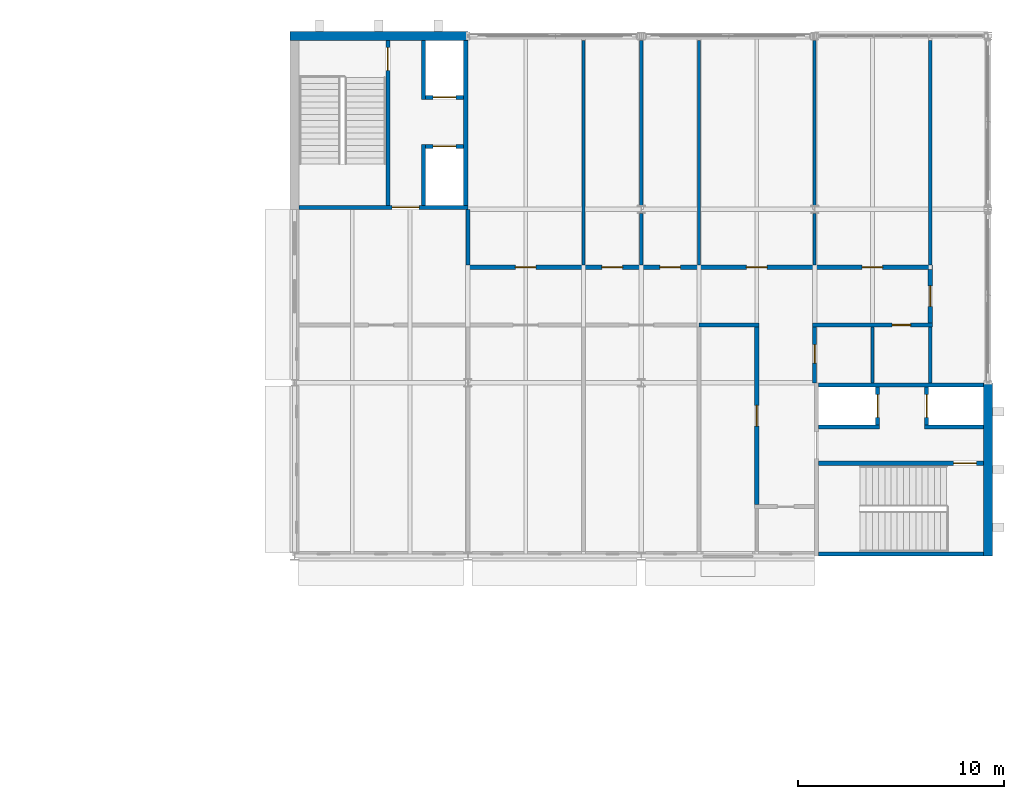
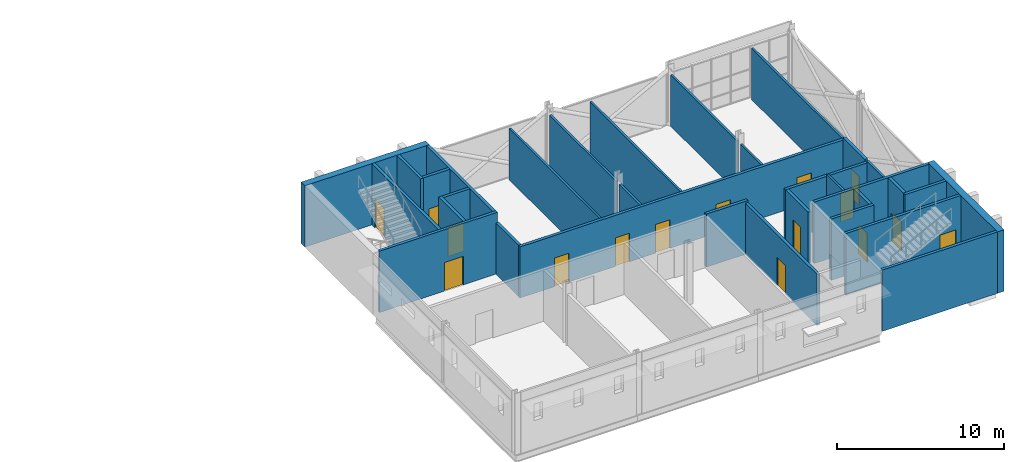
# One storey, part 17 of 22: 32 walls, 16 doors, 16 openings.
"""IFC4 building model written with IfcOpenShell, lengths in metres."""

from ifc_helpers import new_model, si_unit, direction, frame, frame_2d, origin, place, context, subcontext, project, spatial, rectangle, extrude, material, layer, layer_set, type_object, element, fill, save


model = new_model("IFC4")

# Units and contexts
model_context = context("Model", 3, precision=1e-05, world=origin(), true_north=direction((0.0, 1.0)))
body_context = subcontext(model_context, "Body", "Model", "MODEL_VIEW")
ifc_project = project(units=[si_unit("LENGTHUNIT", "METRE"), si_unit("AREAUNIT", "SQUARE_METRE"), si_unit("VOLUMEUNIT", "CUBIC_METRE"), si_unit("PLANEANGLEUNIT", "RADIAN"), si_unit("MASSUNIT", "GRAM", prefix="KILO")], contexts=[model_context])

# Site, building, storey
site_placement = place(None, origin())
site = spatial("IfcSite", under=ifc_project, at=site_placement, CompositionType="ELEMENT")
building_placement = place(site_placement, origin())
building = spatial("IfcBuilding", under=site, at=building_placement, Name="Ardhachandra Cancer Care Centre", CompositionType="ELEMENT")
storey_placement = place(building_placement, frame((0.0, 0.0, 18.0)))
storey = spatial("IfcBuildingStorey", under=building, at=storey_placement, Name="L04", CompositionType="ELEMENT", Elevation=18.0)

# Wall
ifc_material_1 = material(Name="Gypsum board corridor partition on steel studs", Category="steel")
ifc_layer_1 = layer(ifc_material_1, 0.199951171875)
ifc_layer_set_1 = layer_set([ifc_layer_1], Name="Gypsum board corridor partition on steel studs")
wall_type_1 = type_object("IfcWallType", Name="CORRIDOR WALL 200", PredefinedType="PARTITIONING", material=ifc_layer_set_1)
wall_1_placement = place(storey_placement, frame((131.199951171875, 91.0, 0.0), z_axis=(0.0, 0.0, 1.0), x_axis=(1.0, 0.0, 0.0)))
element("IfcWall", 1, at=wall_1_placement, inside=storey, type_object=wall_type_1, Name="R/wall/L04/h0091000_0131200", PredefinedType="PARTITIONING", context=body_context, shape_type="SweptSolid", body=[
    extrude(rectangle(XDim=2.900146484375, YDim=0.199951171875, at=frame_2d((1.4501953125, 0.0))), origin(), (0.0, 0.0, 1.0), 3.89404296875),
])

# Wall, opening, door
wall_2_placement = place(storey_placement, frame((136.699951171875, 91.0, 0.0), z_axis=(0.0, 0.0, 1.0), x_axis=(1.0, 0.0, 0.0)))
wall_2 = element("IfcWall", 2, at=wall_2_placement, inside=storey, type_object=wall_type_1, Name="R/wall/L04/h0091000_0136700", PredefinedType="PARTITIONING", context=body_context, shape_type="SweptSolid", body=[
    extrude(rectangle(XDim=5.800048828125, YDim=0.199951171875, at=frame_2d((2.89990234375, 0.0))), origin(), (0.0, 0.0, 1.0), 3.75),
])
opening_1_placement = place(wall_2_placement, frame((3.85009765625, 0.0, 0.0)))
opening_1 = element("IfcOpeningElement", 3, at=opening_1_placement, cuts=wall_2, Name="Opening L04-0014", PredefinedType="OPENING", context=body_context, shape_type="SweptSolid", body=[
    extrude(rectangle(XDim=0.89990234375, YDim=2.10009765625, at=frame_2d((0.449951171875, 1.050048828125))), frame((0.0, 0.10986328125, 0.0), z_axis=(0.0, -1.0, 0.0), x_axis=(1.0, 0.0, 0.0)), (0.0, 0.0, 1.0), 0.219970703125),
])
ifc_material_2 = material(Name="Timber fire door with smoke seals", Category="wood")
door_type_1 = type_object("IfcDoorType", Name="FIRE DOOR WC 900x2100 FD30S", OperationType="NOTDEFINED", PredefinedType="DOOR", material=ifc_material_2)
door_1_placement = place(opening_1_placement, origin())
door_1 = element("IfcDoor", 4, at=door_1_placement, inside=storey, type_object=door_type_1, Name="Door L04-0014", OperationType="SINGLE_SWING_RIGHT", OverallHeight=2.10009765625, OverallWidth=0.89990234375, PredefinedType="DOOR", context=body_context, shape_type="SweptSolid", body=[
    extrude(rectangle(XDim=0.89990234375, YDim=2.10009765625, at=frame_2d((0.449951171875, 1.050048828125))), frame((0.0, 0.02490234375, 0.0), z_axis=(0.0, -1.0, 0.0), x_axis=(1.0, 0.0, 0.0)), (0.0, 0.0, 1.0), 0.050048828125),
])
fill(opening_1, door_1)

# Wall, openings, doors
wall_3_placement = place(storey_placement, frame((119.89990234375, 93.800048828125, 0.0), z_axis=(0.0, 0.0, 1.0), x_axis=(1.0, 0.0, 0.0)))
wall_3 = element("IfcWall", 5, at=wall_3_placement, inside=storey, type_object=wall_type_1, Name="R/wall/L04/h0093800_0119900", PredefinedType="PARTITIONING", context=body_context, shape_type="SweptSolid", body=[
    extrude(rectangle(XDim=22.60009765625, YDim=0.199951171875, at=frame_2d((11.300048828125, 0.0))), origin(), (0.0, 0.0, 1.0), 3.75),
])
opening_2_placement = place(wall_3_placement, frame((2.39990234375, 0.0, 0.0)))
opening_2 = element("IfcOpeningElement", 6, at=opening_2_placement, cuts=wall_3, Name="Opening L04-0015", PredefinedType="OPENING", context=body_context, shape_type="SweptSolid", body=[
    extrude(rectangle(XDim=1.0, YDim=2.10009765625, at=frame_2d((0.5, 1.050048828125))), frame((0.0, 0.10986328125, 0.0), z_axis=(0.0, -1.0, 0.0), x_axis=(1.0, 0.0, 0.0)), (0.0, 0.0, 1.0), 0.219970703125),
])
opening_3_placement = place(wall_3_placement, frame((6.60009765625, 0.0, 0.0)))
opening_3 = element("IfcOpeningElement", 7, at=opening_3_placement, cuts=wall_3, Name="Opening L04-0016", PredefinedType="OPENING", context=body_context, shape_type="SweptSolid", body=[
    extrude(rectangle(XDim=1.0, YDim=2.10009765625, at=frame_2d((0.5, 1.050048828125))), frame((0.0, 0.10986328125, 0.0), z_axis=(0.0, -1.0, 0.0), x_axis=(1.0, 0.0, 0.0)), (0.0, 0.0, 1.0), 0.219970703125),
])
opening_4_placement = place(wall_3_placement, frame((9.39990234375, 0.0, 0.0)))
opening_4 = element("IfcOpeningElement", 8, at=opening_4_placement, cuts=wall_3, Name="Opening L04-0017", PredefinedType="OPENING", context=body_context, shape_type="SweptSolid", body=[
    extrude(rectangle(XDim=1.0, YDim=2.10009765625, at=frame_2d((0.5, 1.050048828125))), frame((0.0, 0.10986328125, 0.0), z_axis=(0.0, -1.0, 0.0), x_axis=(1.0, 0.0, 0.0)), (0.0, 0.0, 1.0), 0.219970703125),
])
opening_5_placement = place(wall_3_placement, frame((13.60009765625, 0.0, 0.0)))
opening_5 = element("IfcOpeningElement", 9, at=opening_5_placement, cuts=wall_3, Name="Opening L04-0018", PredefinedType="OPENING", context=body_context, shape_type="SweptSolid", body=[
    extrude(rectangle(XDim=1.0, YDim=2.10009765625, at=frame_2d((0.5, 1.050048828125))), frame((0.0, 0.10986328125, 0.0), z_axis=(0.0, -1.0, 0.0), x_axis=(1.0, 0.0, 0.0)), (0.0, 0.0, 1.0), 0.219970703125),
])
opening_6_placement = place(wall_3_placement, frame((19.199951171875, 0.0, 0.0)))
opening_6 = element("IfcOpeningElement", 10, at=opening_6_placement, cuts=wall_3, Name="Opening L04-0019", PredefinedType="OPENING", context=body_context, shape_type="SweptSolid", body=[
    extrude(rectangle(XDim=1.0, YDim=2.10009765625, at=frame_2d((0.5, 1.050048828125))), frame((0.0, 0.10986328125, 0.0), z_axis=(0.0, -1.0, 0.0), x_axis=(1.0, 0.0, 0.0)), (0.0, 0.0, 1.0), 0.219970703125),
])
ifc_material_3 = material(Name="Timber fire door with smoke seals", Category="wood")
door_type_2 = type_object("IfcDoorType", Name="FIRE DOOR SINGLE 1000x2100 FD30S", OperationType="NOTDEFINED", PredefinedType="DOOR", material=ifc_material_3)
door_2_placement = place(opening_2_placement, origin())
door_2 = element("IfcDoor", 11, at=door_2_placement, inside=storey, type_object=door_type_2, Name="Door L04-0015", OperationType="SINGLE_SWING_RIGHT", OverallHeight=2.10009765625, OverallWidth=1.0, PredefinedType="DOOR", context=body_context, shape_type="SweptSolid", body=[
    extrude(rectangle(XDim=1.0, YDim=2.10009765625, at=frame_2d((0.5, 1.050048828125))), frame((0.0, 0.02490234375, 0.0), z_axis=(0.0, -1.0, 0.0), x_axis=(1.0, 0.0, 0.0)), (0.0, 0.0, 1.0), 0.050048828125),
])
fill(opening_2, door_2)
door_3_placement = place(opening_3_placement, origin())
door_3 = element("IfcDoor", 12, at=door_3_placement, inside=storey, type_object=door_type_2, Name="Door L04-0016", OperationType="SINGLE_SWING_RIGHT", OverallHeight=2.10009765625, OverallWidth=1.0, PredefinedType="DOOR", context=body_context, shape_type="SweptSolid", body=[
    extrude(rectangle(XDim=1.0, YDim=2.10009765625, at=frame_2d((0.5, 1.050048828125))), frame((0.0, 0.02490234375, 0.0), z_axis=(0.0, -1.0, 0.0), x_axis=(1.0, 0.0, 0.0)), (0.0, 0.0, 1.0), 0.050048828125),
])
fill(opening_3, door_3)
door_4_placement = place(opening_4_placement, origin())
door_4 = element("IfcDoor", 13, at=door_4_placement, inside=storey, type_object=door_type_2, Name="Door L04-0017", OperationType="SINGLE_SWING_LEFT", OverallHeight=2.10009765625, OverallWidth=1.0, PredefinedType="DOOR", context=body_context, shape_type="SweptSolid", body=[
    extrude(rectangle(XDim=1.0, YDim=2.10009765625, at=frame_2d((0.5, 1.050048828125))), frame((0.0, 0.02490234375, 0.0), z_axis=(0.0, -1.0, 0.0), x_axis=(1.0, 0.0, 0.0)), (0.0, 0.0, 1.0), 0.050048828125),
])
fill(opening_4, door_4)
door_5_placement = place(opening_5_placement, origin())
door_5 = element("IfcDoor", 14, at=door_5_placement, inside=storey, type_object=door_type_2, Name="Door L04-0018", OperationType="SINGLE_SWING_LEFT", OverallHeight=2.10009765625, OverallWidth=1.0, PredefinedType="DOOR", context=body_context, shape_type="SweptSolid", body=[
    extrude(rectangle(XDim=1.0, YDim=2.10009765625, at=frame_2d((0.5, 1.050048828125))), frame((0.0, 0.02490234375, 0.0), z_axis=(0.0, -1.0, 0.0), x_axis=(1.0, 0.0, 0.0)), (0.0, 0.0, 1.0), 0.050048828125),
])
fill(opening_5, door_5)
door_6_placement = place(opening_6_placement, origin())
door_6 = element("IfcDoor", 15, at=door_6_placement, inside=storey, type_object=door_type_2, Name="Door L04-0019", OperationType="SINGLE_SWING_LEFT", OverallHeight=2.10009765625, OverallWidth=1.0, PredefinedType="DOOR", context=body_context, shape_type="SweptSolid", body=[
    extrude(rectangle(XDim=1.0, YDim=2.10009765625, at=frame_2d((0.5, 1.050048828125))), frame((0.0, 0.02490234375, 0.0), z_axis=(0.0, -1.0, 0.0), x_axis=(1.0, 0.0, 0.0)), (0.0, 0.0, 1.0), 0.050048828125),
])
fill(opening_6, door_6)

# Wall
wall_4_placement = place(storey_placement, frame((120.0, 93.89990234375, 0.0), z_axis=(0.0, 0.0, 1.0), x_axis=(0.0, 1.0, 0.0)))
element("IfcWall", 16, at=wall_4_placement, inside=storey, type_object=wall_type_1, Name="R/wall/L04/v0120000_0093900", PredefinedType="PARTITIONING", context=body_context, shape_type="SweptSolid", body=[
    extrude(rectangle(XDim=2.7001953125, YDim=0.199951171875, at=frame_2d((1.35009765625, 0.0))), origin(), (0.0, 0.0, 1.0), 3.75),
])

# Wall, opening, door
wall_5_placement = place(storey_placement, frame((134.0, 82.300048828125, 0.0), z_axis=(0.0, 0.0, 1.0), x_axis=(0.0, 1.0, 0.0)))
wall_5 = element("IfcWall", 17, at=wall_5_placement, inside=storey, type_object=wall_type_1, Name="R/wall/L04/v0134000_0082300", PredefinedType="PARTITIONING", context=body_context, shape_type="SweptSolid", body=[
    extrude(rectangle(XDim=8.599853515625, YDim=0.199951171875, at=frame_2d((4.2998046875, 0.0))), origin(), (0.0, 0.0, 1.0), 3.75),
])
opening_7_placement = place(wall_5_placement, frame((3.800048828125, 0.0, 0.0)))
opening_7 = element("IfcOpeningElement", 18, at=opening_7_placement, cuts=wall_5, Name="Opening L04-0021", PredefinedType="OPENING", context=body_context, shape_type="SweptSolid", body=[
    extrude(rectangle(XDim=1.0, YDim=2.10009765625, at=frame_2d((0.5, 1.050048828125))), frame((0.0, 0.10986328125, 0.0), z_axis=(0.0, -1.0, 0.0), x_axis=(1.0, 0.0, 0.0)), (0.0, 0.0, 1.0), 0.219970703125),
])
door_7_placement = place(opening_7_placement, origin())
door_7 = element("IfcDoor", 19, at=door_7_placement, inside=storey, type_object=door_type_2, Name="Door L04-0021", OperationType="SINGLE_SWING_RIGHT", OverallHeight=2.10009765625, OverallWidth=1.0, PredefinedType="DOOR", context=body_context, shape_type="SweptSolid", body=[
    extrude(rectangle(XDim=1.0, YDim=2.10009765625, at=frame_2d((0.5, 1.050048828125))), frame((0.0, 0.02490234375, 0.0), z_axis=(0.0, -1.0, 0.0), x_axis=(1.0, 0.0, 0.0)), (0.0, 0.0, 1.0), 0.050048828125),
])
fill(opening_7, door_7)

wall_6_placement = place(storey_placement, frame((136.800048828125, 88.199951171875, 0.0), z_axis=(0.0, 0.0, 1.0), x_axis=(0.0, 1.0, 0.0)))
wall_6 = element("IfcWall", 20, at=wall_6_placement, inside=storey, type_object=wall_type_1, Name="R/wall/L04/v0136800_0088200", PredefinedType="PARTITIONING", context=body_context, shape_type="SweptSolid", body=[
    extrude(rectangle(XDim=2.699951171875, YDim=0.199951171875, at=frame_2d((1.35009765625, 0.0))), origin(), (0.0, 0.0, 1.0), 3.75),
])
opening_8_placement = place(wall_6_placement, frame((0.949951171875, 0.0, 0.0)))
opening_8 = element("IfcOpeningElement", 21, at=opening_8_placement, cuts=wall_6, Name="Opening L04-0022", PredefinedType="OPENING", context=body_context, shape_type="SweptSolid", body=[
    extrude(rectangle(XDim=0.89990234375, YDim=2.10009765625, at=frame_2d((0.449951171875, 1.050048828125))), frame((0.0, 0.10986328125, 0.0), z_axis=(0.0, -1.0, 0.0), x_axis=(1.0, 0.0, 0.0)), (0.0, 0.0, 1.0), 0.219970703125),
])
door_8_placement = place(opening_8_placement, origin())
door_8 = element("IfcDoor", 22, at=door_8_placement, inside=storey, type_object=door_type_1, Name="Door L04-0022", OperationType="SINGLE_SWING_LEFT", OverallHeight=2.10009765625, OverallWidth=0.89990234375, PredefinedType="DOOR", context=body_context, shape_type="SweptSolid", body=[
    extrude(rectangle(XDim=0.89990234375, YDim=2.10009765625, at=frame_2d((0.449951171875, 1.050048828125))), frame((0.0, 0.02490234375, 0.0), z_axis=(0.0, -1.0, 0.0), x_axis=(1.0, 0.0, 0.0)), (0.0, 0.0, 1.0), 0.050048828125),
])
fill(opening_8, door_8)

wall_7_placement = place(storey_placement, frame((142.39990234375, 91.10009765625, 0.0), z_axis=(0.0, 0.0, 1.0), x_axis=(0.0, 1.0, 0.0)))
wall_7 = element("IfcWall", 23, at=wall_7_placement, inside=storey, type_object=wall_type_1, Name="R/wall/L04/v0142400_0091100", PredefinedType="PARTITIONING", context=body_context, shape_type="SweptSolid", body=[
    extrude(rectangle(XDim=2.599853515625, YDim=0.199951171875, at=frame_2d((1.2998046875, 0.0))), origin(), (0.0, 0.0, 1.0), 3.89404296875),
])
opening_9_placement = place(wall_7_placement, frame((0.800048828125, 0.0, 0.0)))
opening_9 = element("IfcOpeningElement", 24, at=opening_9_placement, cuts=wall_7, Name="Opening L04-0023", PredefinedType="OPENING", context=body_context, shape_type="SweptSolid", body=[
    extrude(rectangle(XDim=1.0, YDim=2.10009765625, at=frame_2d((0.5, 1.050048828125))), frame((0.0, 0.10986328125, 0.0), z_axis=(0.0, -1.0, 0.0), x_axis=(1.0, 0.0, 0.0)), (0.0, 0.0, 1.0), 0.219970703125),
])
door_9_placement = place(opening_9_placement, origin())
door_9 = element("IfcDoor", 25, at=door_9_placement, inside=storey, type_object=door_type_2, Name="Door L04-0023", OperationType="SINGLE_SWING_LEFT", OverallHeight=2.10009765625, OverallWidth=1.0, PredefinedType="DOOR", context=body_context, shape_type="SweptSolid", body=[
    extrude(rectangle(XDim=1.0, YDim=2.10009765625, at=frame_2d((0.5, 1.050048828125))), frame((0.0, 0.02490234375, 0.0), z_axis=(0.0, -1.0, 0.0), x_axis=(1.0, 0.0, 0.0)), (0.0, 0.0, 1.0), 0.050048828125),
])
fill(opening_9, door_9)

# Walls
ifc_material_4 = material(Name="Concrete M40", Category="concrete")
ifc_layer_2 = layer(ifc_material_4, 0.449951171875)
ifc_layer_set_2 = layer_set([ifc_layer_2], Name="Concrete M40")
wall_type_2 = type_object("IfcWallType", Name="Core exterior wall RC 450", PredefinedType="SOLIDWALL", material=ifc_layer_set_2)
wall_8_placement = place(storey_placement, frame((111.375, 105.0, 0.0), z_axis=(0.0, 0.0, 1.0), x_axis=(1.0, 0.0, 0.0)))
element("IfcWall", 26, at=wall_8_placement, inside=storey, type_object=wall_type_2, Name="Core wall K12 FAR", PredefinedType="SOLIDWALL", context=body_context, shape_type="SweptSolid", body=[
    extrude(rectangle(XDim=8.625, YDim=0.449951171875, at=frame_2d((4.3125, 0.0))), origin(), (0.0, 0.0, 1.0), 4.5),
])
wall_9_placement = place(storey_placement, frame((145.199951171875, 79.800048828125, 0.0), z_axis=(0.0, 0.0, 1.0), x_axis=(0.0, 1.0, 0.0)))
element("IfcWall", 27, at=wall_9_placement, inside=storey, type_object=wall_type_2, Name="Core wall K13 FAR", PredefinedType="SOLIDWALL", context=body_context, shape_type="SweptSolid", body=[
    extrude(rectangle(XDim=8.39990234375, YDim=0.449951171875, at=frame_2d((4.199951171875, 0.0))), origin(), (0.0, 0.0, 1.0), 4.5),
])

# Wall, opening, door
ifc_material_5 = material(Name="Concrete M40", Category="concrete")
ifc_layer_3 = layer(ifc_material_5, 0.199951171875)
ifc_layer_set_3 = layer_set([ifc_layer_3], Name="Concrete M40")
wall_type_3 = type_object("IfcWallType", Name="Core wall RC 200", PredefinedType="SOLIDWALL", material=ifc_layer_set_3)
wall_10_placement = place(storey_placement, frame((111.824951171875, 96.699951171875, 0.0), z_axis=(0.0, 0.0, 1.0), x_axis=(1.0, 0.0, 0.0)))
wall_10 = element("IfcWall", 28, at=wall_10_placement, inside=storey, type_object=wall_type_3, Name="Core wall K12 ENT", PredefinedType="SOLIDWALL", context=body_context, shape_type="SweptSolid", body=[
    extrude(rectangle(XDim=8.175048828125, YDim=0.199951171875, at=frame_2d((4.08740234375, 0.0))), origin(), (0.0, 0.0, 1.0), 4.5),
])
opening_10_placement = place(wall_10_placement, frame((4.512451171875, 0.0, 0.0)))
opening_10 = element("IfcOpeningElement", 29, at=opening_10_placement, cuts=wall_10, Name="Opening L04-K12-1", PredefinedType="OPENING", context=body_context, shape_type="SweptSolid", body=[
    extrude(rectangle(XDim=1.300048828125, YDim=2.10009765625, at=frame_2d((0.64990234375, 1.050048828125))), frame((0.0, 0.10986328125, 0.0), z_axis=(0.0, -1.0, 0.0), x_axis=(1.0, 0.0, 0.0)), (0.0, 0.0, 1.0), 0.219970703125),
])
ifc_material_6 = material(Name="Steel door set", Category="steel")
door_type_3 = type_object("IfcDoorType", Name="Core entry double door 1300x2100 FD60", OperationType="DOUBLE_DOOR_DOUBLE_SWING", PredefinedType="DOOR", material=ifc_material_6)
door_10_placement = place(opening_10_placement, origin())
door_10 = element("IfcDoor", 30, at=door_10_placement, inside=storey, type_object=door_type_3, Name="Core entry door", OperationType="DOUBLE_DOOR_DOUBLE_SWING", OverallHeight=2.10009765625, OverallWidth=1.300048828125, PredefinedType="DOOR", context=body_context, shape_type="SweptSolid", body=[
    extrude(rectangle(XDim=1.300048828125, YDim=2.10009765625, at=frame_2d((0.64990234375, 1.050048828125))), frame((0.0, 0.02490234375, 0.0), z_axis=(0.0, -1.0, 0.0), x_axis=(1.0, 0.0, 0.0)), (0.0, 0.0, 1.0), 0.050048828125),
])
fill(opening_10, door_10)

# Wall
wall_11_placement = place(storey_placement, frame((119.89990234375, 96.800048828125, 0.0), z_axis=(0.0, 0.0, 1.0), x_axis=(0.0, 1.0, 0.0)))
element("IfcWall", 31, at=wall_11_placement, inside=storey, type_object=wall_type_3, Name="Core wall K12 UE", PredefinedType="SOLIDWALL", context=body_context, shape_type="SweptSolid", body=[
    extrude(rectangle(XDim=7.974853515625, YDim=0.199951171875, at=frame_2d((3.9873046875, 0.0))), origin(), (0.0, 0.0, 1.0), 4.5),
])

# Wall, opening, door
wall_12_placement = place(storey_placement, frame((116.125, 96.800048828125, 0.0), z_axis=(0.0, 0.0, 1.0), x_axis=(0.0, 1.0, 0.0)))
wall_12 = element("IfcWall", 32, at=wall_12_placement, inside=storey, type_object=wall_type_3, Name="Core wall K12 P1", PredefinedType="SOLIDWALL", context=body_context, shape_type="SweptSolid", body=[
    extrude(rectangle(XDim=7.974853515625, YDim=0.199951171875, at=frame_2d((3.9873046875, 0.0))), origin(), (0.0, 0.0, 1.0), 4.5),
])
opening_11_placement = place(wall_12_placement, frame((6.53759765625, 0.0, 0.0)))
opening_11 = element("IfcOpeningElement", 33, at=opening_11_placement, cuts=wall_12, Name="Opening L04-K12-2", PredefinedType="OPENING", context=body_context, shape_type="SweptSolid", body=[
    extrude(rectangle(XDim=1.10009765625, YDim=2.10009765625, at=frame_2d((0.550048828125, 1.050048828125))), frame((0.0, 0.10986328125, 0.0), z_axis=(0.0, -1.0, 0.0), x_axis=(1.0, 0.0, 0.0)), (0.0, 0.0, 1.0), 0.219970703125),
])
ifc_material_7 = material(Name="Steel door set", Category="steel")
door_type_4 = type_object("IfcDoorType", Name="Stair door 1100x2100 FD60S", OperationType="NOTDEFINED", PredefinedType="DOOR", material=ifc_material_7)
door_11_placement = place(opening_11_placement, origin())
door_11 = element("IfcDoor", 34, at=door_11_placement, inside=storey, type_object=door_type_4, Name="Stair door", OperationType="SINGLE_SWING_RIGHT", OverallHeight=2.10009765625, OverallWidth=1.10009765625, PredefinedType="DOOR", context=body_context, shape_type="SweptSolid", body=[
    extrude(rectangle(XDim=1.10009765625, YDim=2.10009765625, at=frame_2d((0.550048828125, 1.050048828125))), frame((0.0, 0.02490234375, 0.0), z_axis=(0.0, -1.0, 0.0), x_axis=(1.0, 0.0, 0.0)), (0.0, 0.0, 1.0), 0.050048828125),
])
fill(opening_11, door_11)

# Walls
wall_13_placement = place(storey_placement, frame((117.85009765625, 96.800048828125, 0.0), z_axis=(0.0, 0.0, 1.0), x_axis=(0.0, 1.0, 0.0)))
element("IfcWall", 35, at=wall_13_placement, inside=storey, type_object=wall_type_3, Name="Core wall K12 P2A", PredefinedType="SOLIDWALL", context=body_context, shape_type="SweptSolid", body=[
    extrude(rectangle(XDim=2.949951171875, YDim=0.199951171875, at=frame_2d((1.47509765625, 0.0))), origin(), (0.0, 0.0, 1.0), 4.5),
])
wall_14_placement = place(storey_placement, frame((117.85009765625, 101.925048828125, 0.0), z_axis=(0.0, 0.0, 1.0), x_axis=(0.0, 1.0, 0.0)))
element("IfcWall", 36, at=wall_14_placement, inside=storey, type_object=wall_type_3, Name="Core wall K12 P2B", PredefinedType="SOLIDWALL", context=body_context, shape_type="SweptSolid", body=[
    extrude(rectangle(XDim=2.849853515625, YDim=0.199951171875, at=frame_2d((1.4248046875, 0.0))), origin(), (0.0, 0.0, 1.0), 4.5),
])

# Wall, opening, door
wall_15_placement = place(storey_placement, frame((117.949951171875, 99.64990234375, 0.0), z_axis=(0.0, 0.0, 1.0), x_axis=(1.0, 0.0, 0.0)))
wall_15 = element("IfcWall", 37, at=wall_15_placement, inside=storey, type_object=wall_type_3, Name="Core wall K12 W1", PredefinedType="SOLIDWALL", context=body_context, shape_type="SweptSolid", body=[
    extrude(rectangle(XDim=1.85009765625, YDim=0.199951171875, at=frame_2d((0.925048828125, 0.0))), origin(), (0.0, 0.0, 1.0), 4.5),
])
opening_12_placement = place(wall_15_placement, frame((0.375, 0.0, 0.0)))
opening_12 = element("IfcOpeningElement", 38, at=opening_12_placement, cuts=wall_15, Name="Opening L04-K12-3", PredefinedType="OPENING", context=body_context, shape_type="SweptSolid", body=[
    extrude(rectangle(XDim=1.10009765625, YDim=2.10009765625, at=frame_2d((0.550048828125, 1.050048828125))), frame((0.0, 0.10986328125, 0.0), z_axis=(0.0, -1.0, 0.0), x_axis=(1.0, 0.0, 0.0)), (0.0, 0.0, 1.0), 0.219970703125),
])
ifc_material_8 = material(Name="Stainless steel (grade 304)", Category="steel")
door_type_5 = type_object("IfcDoorType", Name="Lift landing door 1100x2100", OperationType="DOUBLE_DOOR_SLIDING", PredefinedType="DOOR", material=ifc_material_8)
door_12_placement = place(opening_12_placement, origin())
door_12 = element("IfcDoor", 39, at=door_12_placement, inside=storey, type_object=door_type_5, Name="Lift landing door LF-K12-1", OperationType="DOUBLE_DOOR_SLIDING", OverallHeight=2.10009765625, OverallWidth=1.10009765625, PredefinedType="DOOR", context=body_context, shape_type="SweptSolid", body=[
    extrude(rectangle(XDim=1.10009765625, YDim=2.10009765625, at=frame_2d((0.550048828125, 1.050048828125))), frame((0.0, 0.02490234375, 0.0), z_axis=(0.0, -1.0, 0.0), x_axis=(1.0, 0.0, 0.0)), (0.0, 0.0, 1.0), 0.050048828125),
])
fill(opening_12, door_12)

wall_16_placement = place(storey_placement, frame((117.949951171875, 102.02490234375, 0.0), z_axis=(0.0, 0.0, 1.0), x_axis=(1.0, 0.0, 0.0)))
wall_16 = element("IfcWall", 40, at=wall_16_placement, inside=storey, type_object=wall_type_3, Name="Core wall K12 W2", PredefinedType="SOLIDWALL", context=body_context, shape_type="SweptSolid", body=[
    extrude(rectangle(XDim=1.85009765625, YDim=0.199951171875, at=frame_2d((0.925048828125, 0.0))), origin(), (0.0, 0.0, 1.0), 4.5),
])
opening_13_placement = place(wall_16_placement, frame((0.375, 0.0, 0.0)))
opening_13 = element("IfcOpeningElement", 41, at=opening_13_placement, cuts=wall_16, Name="Opening L04-K12-4", PredefinedType="OPENING", context=body_context, shape_type="SweptSolid", body=[
    extrude(rectangle(XDim=1.10009765625, YDim=2.10009765625, at=frame_2d((0.550048828125, 1.050048828125))), frame((0.0, 0.10986328125, 0.0), z_axis=(0.0, -1.0, 0.0), x_axis=(1.0, 0.0, 0.0)), (0.0, 0.0, 1.0), 0.219970703125),
])
door_13_placement = place(opening_13_placement, origin())
door_13 = element("IfcDoor", 42, at=door_13_placement, inside=storey, type_object=door_type_5, Name="Lift landing door LF-K12-2", OperationType="DOUBLE_DOOR_SLIDING", OverallHeight=2.10009765625, OverallWidth=1.10009765625, PredefinedType="DOOR", context=body_context, shape_type="SweptSolid", body=[
    extrude(rectangle(XDim=1.10009765625, YDim=2.10009765625, at=frame_2d((0.550048828125, 1.050048828125))), frame((0.0, 0.02490234375, 0.0), z_axis=(0.0, -1.0, 0.0), x_axis=(1.0, 0.0, 0.0)), (0.0, 0.0, 1.0), 0.050048828125),
])
fill(opening_13, door_13)

# Walls
for number, where, z_axis, x_axis, name in (
    (43, (137.0, 79.89990234375, 0.0), (0.0, 0.0, 1.0), (1.0, 0.0, 0.0), "Core wall K13 UW"),
    (44, (137.0, 88.10009765625, 0.0), (0.0, 0.0, 1.0), (1.0, 0.0, 0.0), "Core wall K13 UE"),
):
    element("IfcWall", number, at=place(storey_placement, frame(where, z_axis=z_axis, x_axis=x_axis)), inside=storey, type_object=wall_type_3, Name=name, PredefinedType="SOLIDWALL", context=body_context, shape_type="SweptSolid", body=[
        extrude(rectangle(XDim=7.97509765625, YDim=0.199951171875, at=frame_2d((3.987548828125, 0.0))), origin(), (0.0, 0.0, 1.0), 4.5),
    ])

# Wall, opening, door
wall_17_placement = place(storey_placement, frame((137.0, 84.300048828125, 0.0), z_axis=(0.0, 0.0, 1.0), x_axis=(1.0, 0.0, 0.0)))
wall_17 = element("IfcWall", 45, at=wall_17_placement, inside=storey, type_object=wall_type_3, Name="Core wall K13 P1", PredefinedType="SOLIDWALL", context=body_context, shape_type="SweptSolid", body=[
    extrude(rectangle(XDim=7.97509765625, YDim=0.199951171875, at=frame_2d((3.987548828125, 0.0))), origin(), (0.0, 0.0, 1.0), 4.5),
])
opening_14_placement = place(wall_17_placement, frame((6.53759765625, 0.0, 0.0)))
opening_14 = element("IfcOpeningElement", 46, at=opening_14_placement, cuts=wall_17, Name="Opening L04-K13-2", PredefinedType="OPENING", context=body_context, shape_type="SweptSolid", body=[
    extrude(rectangle(XDim=1.10009765625, YDim=2.10009765625, at=frame_2d((0.550048828125, 1.050048828125))), frame((0.0, 0.10986328125, 0.0), z_axis=(0.0, -1.0, 0.0), x_axis=(1.0, 0.0, 0.0)), (0.0, 0.0, 1.0), 0.219970703125),
])
door_14_placement = place(opening_14_placement, origin())
door_14 = element("IfcDoor", 47, at=door_14_placement, inside=storey, type_object=door_type_4, Name="Stair door", OperationType="SINGLE_SWING_LEFT", OverallHeight=2.10009765625, OverallWidth=1.10009765625, PredefinedType="DOOR", context=body_context, shape_type="SweptSolid", body=[
    extrude(rectangle(XDim=1.10009765625, YDim=2.10009765625, at=frame_2d((0.550048828125, 1.050048828125))), frame((0.0, 0.02490234375, 0.0), z_axis=(0.0, -1.0, 0.0), x_axis=(1.0, 0.0, 0.0)), (0.0, 0.0, 1.0), 0.050048828125),
])
fill(opening_14, door_14)

# Walls
wall_18_placement = place(storey_placement, frame((137.0, 86.050048828125, 0.0), z_axis=(0.0, 0.0, 1.0), x_axis=(1.0, 0.0, 0.0)))
element("IfcWall", 48, at=wall_18_placement, inside=storey, type_object=wall_type_3, Name="Core wall K13 P2A", PredefinedType="SOLIDWALL", context=body_context, shape_type="SweptSolid", body=[
    extrude(rectangle(XDim=2.949951171875, YDim=0.199951171875, at=frame_2d((1.47509765625, 0.0))), origin(), (0.0, 0.0, 1.0), 4.5),
])
wall_19_placement = place(storey_placement, frame((142.125, 86.050048828125, 0.0), z_axis=(0.0, 0.0, 1.0), x_axis=(1.0, 0.0, 0.0)))
element("IfcWall", 49, at=wall_19_placement, inside=storey, type_object=wall_type_3, Name="Core wall K13 P2B", PredefinedType="SOLIDWALL", context=body_context, shape_type="SweptSolid", body=[
    extrude(rectangle(XDim=2.85009765625, YDim=0.199951171875, at=frame_2d((1.425048828125, 0.0))), origin(), (0.0, 0.0, 1.0), 4.5),
])

# Wall, opening, door
wall_20_placement = place(storey_placement, frame((139.85009765625, 86.14990234375, 0.0), z_axis=(0.0, 0.0, 1.0), x_axis=(0.0, 1.0, 0.0)))
wall_20 = element("IfcWall", 50, at=wall_20_placement, inside=storey, type_object=wall_type_3, Name="Core wall K13 W1", PredefinedType="SOLIDWALL", context=body_context, shape_type="SweptSolid", body=[
    extrude(rectangle(XDim=1.85009765625, YDim=0.199951171875, at=frame_2d((0.925048828125, 0.0))), origin(), (0.0, 0.0, 1.0), 4.5),
])
opening_15_placement = place(wall_20_placement, frame((0.375, 0.0, 0.0)))
opening_15 = element("IfcOpeningElement", 51, at=opening_15_placement, cuts=wall_20, Name="Opening L04-K13-3", PredefinedType="OPENING", context=body_context, shape_type="SweptSolid", body=[
    extrude(rectangle(XDim=1.10009765625, YDim=2.10009765625, at=frame_2d((0.550048828125, 1.050048828125))), frame((0.0, 0.10986328125, 0.0), z_axis=(0.0, -1.0, 0.0), x_axis=(1.0, 0.0, 0.0)), (0.0, 0.0, 1.0), 0.219970703125),
])
door_15_placement = place(opening_15_placement, origin())
door_15 = element("IfcDoor", 52, at=door_15_placement, inside=storey, type_object=door_type_5, Name="Lift landing door LF-K13-1", OperationType="DOUBLE_DOOR_SLIDING", OverallHeight=2.10009765625, OverallWidth=1.10009765625, PredefinedType="DOOR", context=body_context, shape_type="SweptSolid", body=[
    extrude(rectangle(XDim=1.10009765625, YDim=2.10009765625, at=frame_2d((0.550048828125, 1.050048828125))), frame((0.0, 0.02490234375, 0.0), z_axis=(0.0, -1.0, 0.0), x_axis=(1.0, 0.0, 0.0)), (0.0, 0.0, 1.0), 0.050048828125),
])
fill(opening_15, door_15)

wall_21_placement = place(storey_placement, frame((142.22509765625, 86.14990234375, 0.0), z_axis=(0.0, 0.0, 1.0), x_axis=(0.0, 1.0, 0.0)))
wall_21 = element("IfcWall", 53, at=wall_21_placement, inside=storey, type_object=wall_type_3, Name="Core wall K13 W2", PredefinedType="SOLIDWALL", context=body_context, shape_type="SweptSolid", body=[
    extrude(rectangle(XDim=1.85009765625, YDim=0.199951171875, at=frame_2d((0.925048828125, 0.0))), origin(), (0.0, 0.0, 1.0), 4.5),
])
opening_16_placement = place(wall_21_placement, frame((0.375, 0.0, 0.0)))
opening_16 = element("IfcOpeningElement", 54, at=opening_16_placement, cuts=wall_21, Name="Opening L04-K13-4", PredefinedType="OPENING", context=body_context, shape_type="SweptSolid", body=[
    extrude(rectangle(XDim=1.10009765625, YDim=2.10009765625, at=frame_2d((0.550048828125, 1.050048828125))), frame((0.0, 0.10986328125, 0.0), z_axis=(0.0, -1.0, 0.0), x_axis=(1.0, 0.0, 0.0)), (0.0, 0.0, 1.0), 0.219970703125),
])
door_16_placement = place(opening_16_placement, origin())
door_16 = element("IfcDoor", 55, at=door_16_placement, inside=storey, type_object=door_type_5, Name="Lift landing door LF-K13-2", OperationType="DOUBLE_DOOR_SLIDING", OverallHeight=2.10009765625, OverallWidth=1.10009765625, PredefinedType="DOOR", context=body_context, shape_type="SweptSolid", body=[
    extrude(rectangle(XDim=1.10009765625, YDim=2.10009765625, at=frame_2d((0.550048828125, 1.050048828125))), frame((0.0, 0.02490234375, 0.0), z_axis=(0.0, -1.0, 0.0), x_axis=(1.0, 0.0, 0.0)), (0.0, 0.0, 1.0), 0.050048828125),
])
fill(opening_16, door_16)

# Walls
ifc_material_9 = material(Name="Gypsum board partition on steel studs", Category="steel")
ifc_layer_4 = layer(ifc_material_9, 0.14990234375)
ifc_layer_set_4 = layer_set([ifc_layer_4], Name="Gypsum board partition on steel studs")
wall_type_4 = type_object("IfcWallType", Name="PARTITION 150", PredefinedType="PARTITIONING", material=ifc_layer_set_4)
wall_22_placement = place(storey_placement, frame((125.60009765625, 93.89990234375, 0.0), z_axis=(0.0, 0.0, 1.0), x_axis=(0.0, 1.0, 0.0)))
element("IfcWall", 56, at=wall_22_placement, inside=storey, type_object=wall_type_4, Name="R/wall/L04/v0125600_0093900", PredefinedType="PARTITIONING", context=body_context, shape_type="SweptSolid", body=[
    extrude(rectangle(XDim=10.875, YDim=0.14990234375, at=frame_2d((5.4375, 0.0))), origin(), (0.0, 0.0, 1.0), 3.75),
])
wall_23_placement = place(storey_placement, frame((128.39990234375, 93.89990234375, 0.0), z_axis=(0.0, 0.0, 1.0), x_axis=(0.0, 1.0, 0.0)))
element("IfcWall", 57, at=wall_23_placement, inside=storey, type_object=wall_type_4, Name="R/wall/L04/v0128400_0093900", PredefinedType="PARTITIONING", context=body_context, shape_type="SweptSolid", body=[
    extrude(rectangle(XDim=2.502685546875, YDim=0.14990234375, at=frame_2d((1.25146484375, 0.0))), origin(), (0.0, 0.0, 1.0), 3.75),
])
wall_24_placement = place(storey_placement, frame((128.39990234375, 96.797607421875, 0.0), z_axis=(0.0, 0.0, 1.0), x_axis=(0.0, 1.0, 0.0)))
element("IfcWall", 58, at=wall_24_placement, inside=storey, type_object=wall_type_4, Name="R/wall/L04/v0128400_0096798", PredefinedType="PARTITIONING", context=body_context, shape_type="SweptSolid", body=[
    extrude(rectangle(XDim=7.977294921875, YDim=0.14990234375, at=frame_2d((3.98876953125, 0.0))), origin(), (0.0, 0.0, 1.0), 3.75),
])
wall_25_placement = place(storey_placement, frame((131.199951171875, 93.89990234375, 0.0), z_axis=(0.0, 0.0, 1.0), x_axis=(0.0, 1.0, 0.0)))
element("IfcWall", 59, at=wall_25_placement, inside=storey, type_object=wall_type_4, Name="R/wall/L04/v0131200_0093900", PredefinedType="PARTITIONING", context=body_context, shape_type="SweptSolid", body=[
    extrude(rectangle(XDim=10.875, YDim=0.14990234375, at=frame_2d((5.4375, 0.0))), origin(), (0.0, 0.0, 1.0), 3.75),
])
wall_26_placement = place(storey_placement, frame((136.800048828125, 93.89990234375, 0.0), z_axis=(0.0, 0.0, 1.0), x_axis=(0.0, 1.0, 0.0)))
element("IfcWall", 60, at=wall_26_placement, inside=storey, type_object=wall_type_4, Name="R/wall/L04/v0136800_0093900", PredefinedType="PARTITIONING", context=body_context, shape_type="SweptSolid", body=[
    extrude(rectangle(XDim=2.502685546875, YDim=0.14990234375, at=frame_2d((1.25146484375, 0.0))), origin(), (0.0, 0.0, 1.0), 3.75),
])
wall_27_placement = place(storey_placement, frame((136.800048828125, 96.797607421875, 0.0), z_axis=(0.0, 0.0, 1.0), x_axis=(0.0, 1.0, 0.0)))
element("IfcWall", 61, at=wall_27_placement, inside=storey, type_object=wall_type_4, Name="R/wall/L04/v0136800_0096798", PredefinedType="PARTITIONING", context=body_context, shape_type="SweptSolid", body=[
    extrude(rectangle(XDim=7.977294921875, YDim=0.14990234375, at=frame_2d((3.98876953125, 0.0))), origin(), (0.0, 0.0, 1.0), 3.75),
])
wall_28_placement = place(storey_placement, frame((142.39990234375, 93.89990234375, 0.0), z_axis=(0.0, 0.0, 1.0), x_axis=(0.0, 1.0, 0.0)))
element("IfcWall", 62, at=wall_28_placement, inside=storey, type_object=wall_type_4, Name="R/wall/L04/v0142400_0093900", PredefinedType="PARTITIONING", context=body_context, shape_type="SweptSolid", body=[
    extrude(rectangle(XDim=10.875, YDim=0.14990234375, at=frame_2d((5.4375, 0.0))), origin(), (0.0, 0.0, 1.0), 3.75),
])
ifc_material_10 = material(Name="Tiled gypsum board partition on steel studs", Category="steel")
ifc_layer_5 = layer(ifc_material_10, 0.14990234375)
ifc_layer_set_5 = layer_set([ifc_layer_5], Name="Tiled gypsum board partition on steel studs")
wall_type_5 = type_object("IfcWallType", Name="WET ROOM PARTITION 150", PredefinedType="PARTITIONING", material=ifc_layer_set_5)
for number, where, z_axis, x_axis, name in (
    (63, (139.60009765625, 88.199951171875, 0.0), (0.0, 0.0, 1.0), (0.0, 1.0, 0.0), "R/wall/L04/v0139600_0088200"),
    (64, (142.39990234375, 88.199951171875, 0.0), (0.0, 0.0, 1.0), (0.0, 1.0, 0.0), "R/wall/L04/v0142400_0088200"),
):
    element("IfcWall", number, at=place(storey_placement, frame(where, z_axis=z_axis, x_axis=x_axis)), inside=storey, type_object=wall_type_5, Name=name, PredefinedType="PARTITIONING", context=body_context, shape_type="SweptSolid", body=[
        extrude(rectangle(XDim=2.699951171875, YDim=0.14990234375, at=frame_2d((1.35009765625, 0.0))), origin(), (0.0, 0.0, 1.0), 3.89404296875),
    ])

save(model, "model.ifc")
